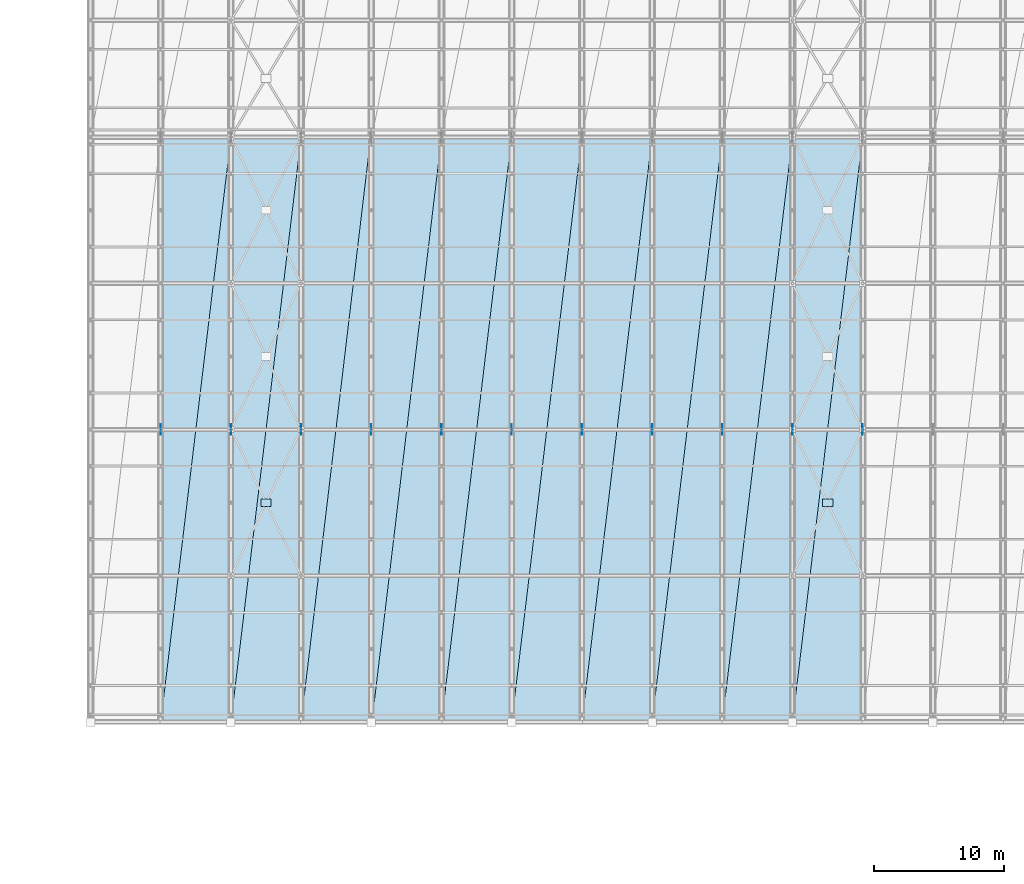
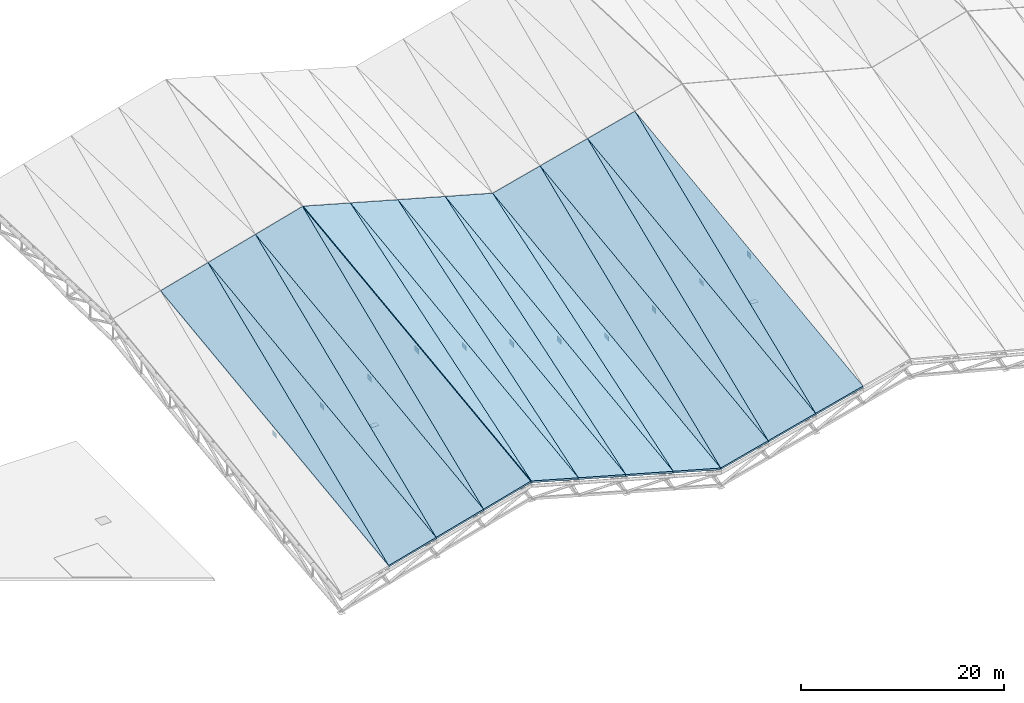
# One storey, part 96 of 109: 20 slabs, 13 plates.
"""IFC4 building model written with IfcOpenShell, lengths in metres."""

import ifcopenshell
import ifcopenshell.guid

model = None  # the IFC model being written
_history = None  # IfcOwnerHistory: only IFC2X3 demands one
_inside = {}  # id of a spatial element -> (the spatial element, [elements in it])
_under = {}  # id of a project, library or spatial element -> (it, [spatial elements below it])
_declared = {}  # id of a project -> (the project, [libraries it declares])
_typed = {}  # id of a type object -> (the type object, [elements of that type])
_made_of = {}  # id of a material, layer set ... -> (it, [elements and type objects made of it])


def new_model(schema):
    """Start an empty IFC model of exactly this schema.

    Asked for "IFC4X3", IfcOpenShell would pick the latest addendum, in which some entities
    have other attributes; the version numbers below select the first issue.
    IFC2X3 requires an IfcOwnerHistory on every rooted entity: one is made here for all.
    """
    global model, _history
    if schema == "IFC4X3":
        model = ifcopenshell.file(schema_version=(4, 3, 0, 0))
    else:
        model = ifcopenshell.file(schema=schema)
    _inside.clear()
    _under.clear()
    _declared.clear()
    _typed.clear()
    _made_of.clear()
    _history = None
    if model.schema == "IFC2X3":
        org = make("IfcOrganization", Name="unknown")
        user = make(
            "IfcPersonAndOrganization",
            ThePerson=make("IfcPerson", FamilyName="unknown"),
            TheOrganization=org,
        )
        app = make(
            "IfcApplication",
            ApplicationDeveloper=org,
            Version="unknown",
            ApplicationFullName="unknown",
            ApplicationIdentifier="unknown",
        )
        _history = make(
            "IfcOwnerHistory",
            OwningUser=user,
            OwningApplication=app,
            ChangeAction="ADDED",
            CreationDate=0,
        )
    return model


def make(cls, **values):
    """One entity of the class cls with the attributes given. An attribute that is None is left unset."""
    return model.create_entity(
        cls, **{name: value for name, value in values.items() if value is not None}
    )


def rooted(cls, **values):
    """An entity with a GlobalId (a new one), such as an element, a storey or a relation."""
    return make(cls, GlobalId=ifcopenshell.guid.new(), OwnerHistory=_history, **values)


def si_unit(unit_type, name, prefix=None):
    """IfcSIUnit, for example si_unit("LENGTHUNIT", "METRE", prefix="MILLI")."""
    return make("IfcSIUnit", UnitType=unit_type, Prefix=prefix, Name=name)


def assignment(units):
    """IfcUnitAssignment: the units of a project."""
    return None if units is None else make("IfcUnitAssignment", Units=units)


def point(xyz):
    """IfcCartesianPoint."""
    return None if xyz is None else make("IfcCartesianPoint", Coordinates=xyz)


def direction(xyz):
    """IfcDirection."""
    return None if xyz is None else make("IfcDirection", DirectionRatios=xyz)


def frame(location, z_axis=None, x_axis=None):
    """IfcAxis2Placement3D, a coordinate frame: its origin and axes. An axis left out is left unset."""
    return make(
        "IfcAxis2Placement3D",
        Location=point(location),
        Axis=direction(z_axis),
        RefDirection=direction(x_axis),
    )


def frame_2d(location, x_axis=None):
    """IfcAxis2Placement2D, a coordinate frame in the plane: its origin and x axis."""
    return make(
        "IfcAxis2Placement2D", Location=point(location), RefDirection=direction(x_axis)
    )


def origin():
    """The frame at (0, 0, 0) with its axes left unset."""
    return frame((0.0, 0.0, 0.0))


def origin_2d():
    """The frame at (0, 0) in the plane with its x axis left unset."""
    return frame_2d((0.0, 0.0))


def place(relative_to, where):
    """IfcLocalPlacement: puts the frame where relative to a parent placement (None: the world)."""
    return make(
        "IfcLocalPlacement", PlacementRelTo=relative_to, RelativePlacement=where
    )


def context(
    kind, dimensions, precision=None, world=None, true_north=None, identifier=None
):
    """IfcGeometricRepresentationContext, for example the 3D "Model" context."""
    return make(
        "IfcGeometricRepresentationContext",
        ContextIdentifier=identifier,
        ContextType=kind,
        CoordinateSpaceDimension=dimensions,
        Precision=precision,
        WorldCoordinateSystem=world,
        TrueNorth=true_north,
    )


def subcontext(parent, identifier, kind, view, scale=None):
    """IfcGeometricRepresentationSubContext, for example "Body" below "Model"."""
    return make(
        "IfcGeometricRepresentationSubContext",
        ContextIdentifier=identifier,
        ContextType=kind,
        ParentContext=parent,
        TargetScale=scale,
        TargetView=view,
    )


def project(units=None, contexts=None):
    """IfcProject with its units and contexts."""
    return rooted(
        "IfcProject",
        Name="project",
        RepresentationContexts=contexts,
        UnitsInContext=assignment(units),
    )


def spatial(cls, under=None, at=None, **own):
    """A site, building, storey or space (cls), placed at a placement, below another one or the project."""
    s = rooted(cls, ObjectPlacement=at, **own)
    if under is not None:
        _under.setdefault(under.id(), (under, []))[1].append(s)
    return s


def polyline(points):
    """IfcPolyline through the points."""
    return make("IfcPolyline", Points=[point(p) for p in points])


def profile(cls, at=None, kind="AREA", **sizes):
    """A parametric profile (cls). Its sizes go by their IFC names, for example OverallWidth=200.0."""
    return make(cls, ProfileType=kind, Position=at, **sizes)


def rectangle(**sizes):
    """IfcRectangleProfileDef."""
    return profile("IfcRectangleProfileDef", **sizes)


def outline(outer, holes=None, kind="AREA"):
    """IfcArbitraryClosedProfileDef: a profile drawn as a closed curve; with holes, ...WithVoids."""
    if holes is None:
        return make("IfcArbitraryClosedProfileDef", ProfileType=kind, OuterCurve=outer)
    return make(
        "IfcArbitraryProfileDefWithVoids",
        ProfileType=kind,
        OuterCurve=outer,
        InnerCurves=holes,
    )


def extrude(swept, where, along, depth):
    """IfcExtrudedAreaSolid: the profile swept, set in the frame where, extruded along a direction by depth."""
    return make(
        "IfcExtrudedAreaSolid",
        SweptArea=swept,
        Position=where,
        ExtrudedDirection=direction(along),
        Depth=depth,
    )


def shape(context_of_items, identifier, shape_type, items):
    """IfcShapeRepresentation: the items that make up one representation, for example the "Body"."""
    return make(
        "IfcShapeRepresentation",
        ContextOfItems=context_of_items,
        RepresentationIdentifier=identifier,
        RepresentationType=shape_type,
        Items=items,
    )


def material(Name=None, Category=None):
    """IfcMaterial."""
    return make("IfcMaterial", Name=Name, Category=Category)


def layer(
    of_material, thickness, ventilated=None, Name=None, Category=None, Priority=None
):
    """IfcMaterialLayer: one layer of a wall or slab, of a material (None: an air gap)."""
    return make(
        "IfcMaterialLayer",
        Material=of_material,
        LayerThickness=thickness,
        IsVentilated=ventilated,
        Name=Name,
        Category=Category,
        Priority=Priority,
    )


def layer_set(layers, Name=None):
    """IfcMaterialLayerSet."""
    return make("IfcMaterialLayerSet", MaterialLayers=layers, LayerSetName=Name)


def made_of(thing, what):
    """Note that an element or type object is made of a material, layer set ...; save() writes the relation."""
    if what is not None:
        _made_of.setdefault(what.id(), (what, []))[1].append(thing)
    return thing


def type_object(cls, material=None, **own):
    """A type object (cls), such as IfcWallType, which elements share."""
    return made_of(rooted(cls, **own), material)


def element(
    cls,
    number,
    at=None,
    inside=None,
    cuts=None,
    type_object=None,
    material=None,
    context=None,
    identifier="Body",
    shape_type=None,
    held_by="IfcProductDefinitionShape",
    body=None,
    shapes=None,
    **own,
):
    """One element of the class cls, such as IfcWall. Its Tag is "e" and its number.

    at: its placement. inside: the storey or other place that contains it. cuts: it is an
    opening in that element (IfcRelVoidsElement). A single representation is given by context,
    identifier, shape_type and body (its items); several are given by shapes. held_by: the class
    of the entity that holds the representations. save() writes the other relations.
    """
    e = rooted(cls, Tag="e%d" % number, ObjectPlacement=at, **own)
    if body is not None:
        shapes = [shape(context, identifier, shape_type, body)]
    if shapes is not None:
        e.Representation = make(held_by, Representations=shapes)
    if inside is not None:
        _inside.setdefault(inside.id(), (inside, []))[1].append(e)
    if cuts is not None:
        rooted(
            "IfcRelVoidsElement", RelatingBuildingElement=cuts, RelatedOpeningElement=e
        )
    if type_object is not None:
        _typed.setdefault(type_object.id(), (type_object, []))[1].append(e)
    return made_of(e, material)


def aggregate(whole, parts):
    """IfcRelAggregates: a whole, such as a stair, and the parts it consists of."""
    return rooted("IfcRelAggregates", RelatingObject=whole, RelatedObjects=parts)


def save(model, path):
    """Write the relations noted so far, then the file.

    IfcRelAggregates (storeys below a building ...), IfcRelContainedInSpatialStructure (elements
    in a storey), IfcRelDefinesByType, IfcRelAssociatesMaterial and IfcRelDeclares: one each for
    every whole, place, type object, material and project.
    """
    for whole, parts in _under.values():
        aggregate(whole, parts)
    for where, things in _inside.values():
        rooted(
            "IfcRelContainedInSpatialStructure",
            RelatedElements=things,
            RelatingStructure=where,
        )
    for kind, things in _typed.values():
        rooted("IfcRelDefinesByType", RelatedObjects=things, RelatingType=kind)
    for what, things in _made_of.values():
        rooted("IfcRelAssociatesMaterial", RelatedObjects=things, RelatingMaterial=what)
    for by, libraries in _declared.values():
        rooted("IfcRelDeclares", RelatingContext=by, RelatedDefinitions=libraries)
    model.write(path)


model = new_model("IFC4")

# Units and contexts
model_context = context("Model", 3, precision=1e-05, world=origin(), true_north=direction((0.0, 1.0)))
body_context = subcontext(model_context, "Body", "Model", "MODEL_VIEW")
ifc_project = project(units=[si_unit("LENGTHUNIT", "METRE"), si_unit("AREAUNIT", "SQUARE_METRE"), si_unit("VOLUMEUNIT", "CUBIC_METRE"), si_unit("PLANEANGLEUNIT", "RADIAN"), si_unit("MASSUNIT", "GRAM", prefix="KILO")], contexts=[model_context])

# Site, building, storey
site_placement = place(None, origin())
site = spatial("IfcSite", under=ifc_project, at=site_placement, CompositionType="ELEMENT")
building_placement = place(site_placement, origin())
building = spatial("IfcBuilding", under=site, at=building_placement, Name="Suirenkawa Promenade Aquatics Centre", CompositionType="ELEMENT")
storey_placement = place(building_placement, frame((0.0, 0.0, 22.800048828125)))
storey = spatial("IfcBuildingStorey", under=building, at=storey_placement, Name="ROOF", CompositionType="ELEMENT", Elevation=22.800048828125)

# Plates
ifc_material_1 = material(Name="Steel IS 2062 E350 (Grade 350)", Category="steel")
ifc_layer_1 = layer(ifc_material_1, 0.02392578125, Name="Steel IS 2062 E350 (Grade 350)", Category="steel")
ifc_layer_set_1 = layer_set([ifc_layer_1], Name="Steel IS 2062 E350 (Grade 350)")
plate_type = type_object("IfcPlateType", Name="PLT-GUSSET-800x600x24", PredefinedType="USERDEFINED", material=ifc_layer_set_1)
for number, where, z_axis, x_axis, name in (
    (1, (52.199951171875, 72.89990234375, -11.06005859375), (0.0, 0.0, 1.0), (0.0, 1.0, 0.0), "Truss node plate TN-04 PLG-0003"),
    (2, (57.60009765625, 72.89990234375, -9.56005859375), (0.0, 0.0, 1.0), (0.0, 1.0, 0.0), "Truss node plate TN-04 PLG-0008"),
    (3, (63.0, 72.89990234375, -8.06005859375), (0.0, 0.0, 1.0), (0.0, 1.0, 0.0), "Truss node plate TN-04 PLG-0011"),
    (4, (68.39990234375, 72.89990234375, -6.56005859375), (0.0, 0.0, 1.0), (0.0, 1.0, 0.0), "Truss node plate TN-04 PLG-0016"),
    (5, (73.800048828125, 72.89990234375, -8.06005859375), (0.0, 0.0, 1.0), (0.0, 1.0, 0.0), "Truss node plate TN-04 PLG-0019"),
    (6, (79.199951171875, 72.89990234375, -9.56005859375), (0.0, 0.0, 1.0), (0.0, 1.0, 0.0), "Truss node plate TN-04 PLG-0024"),
    (7, (84.60009765625, 72.89990234375, -11.06005859375), (0.0, 0.0, 1.0), (0.0, 1.0, 0.0), "Truss node plate TN-04 PLG-0027"),
    (8, (90.0, 72.89990234375, -12.56005859375), (0.0, 0.0, 1.0), (0.0, 1.0, 0.0), "Truss node plate TN-04 PLG-0032"),
    (9, (95.39990234375, 72.89990234375, -11.16015625), (0.0, 0.0, 1.0), (0.0, 1.0, 0.0), "Truss node plate TN-04 PLG-0035"),
    (10, (100.800048828125, 72.89990234375, -9.760009765625), (0.0, 0.0, 1.0), (0.0, 1.0, 0.0), "Truss node plate TN-04 PLG-0040"),
    (11, (106.199951171875, 72.89990234375, -8.360107421875), (0.0, 0.0, 1.0), (0.0, 1.0, 0.0), "Truss node plate TN-04 PLG-0043"),
):
    element("IfcPlate", number, at=place(storey_placement, frame(where, z_axis=z_axis, x_axis=x_axis)), inside=storey, type_object=plate_type, Name=name, ObjectType="GUSSET", PredefinedType="USERDEFINED", context=body_context, shape_type="SweptSolid", body=[
        extrude(rectangle(XDim=0.800048828125, YDim=0.02392578125, at=origin_2d()), origin(), (0.0, 0.0, 1.0), 0.60009765625),
    ])
for number, where, z_axis, x_axis, name in (
    (12, (60.300048828125, 67.27490234375, -9.0869140625), (0.0, 0.0, 1.0), (1.0, 0.0, 0.0), "Truss node plate TN-04 PLG-0080"),
    (13, (103.5, 67.27490234375, -9.3369140625), (0.0, 0.0, 1.0), (1.0, 0.0, 0.0), "Truss node plate TN-04 PLG-0097"),
):
    element("IfcPlate", number, at=place(storey_placement, frame(where, z_axis=z_axis, x_axis=x_axis)), inside=storey, type_object=plate_type, Name=name, ObjectType="GUSSET", PredefinedType="USERDEFINED", context=body_context, shape_type="SweptSolid", body=[
        extrude(rectangle(XDim=0.800048828125, YDim=0.60009765625, at=origin_2d()), origin(), (0.0, 0.0, 1.0), 0.02392578125),
    ])

# Slabs
ifc_material_2 = material(Name="Concrete M35", Category="concrete")
ifc_layer_2 = layer(ifc_material_2, 0.239990234375, Name="Concrete M35", Category="concrete")
ifc_layer_set_2 = layer_set([ifc_layer_2], Name="Concrete M35")
slab_type = type_object("IfcSlabType", Name="SLT-ROOF-V1-240", PredefinedType="ROOF", material=ifc_layer_set_2)
slab_1_placement = place(storey_placement, frame((52.199951171875, 50.39990234375, -12.900146484375), z_axis=(-0.265594882872, -0.123300611529, 0.956167515339), x_axis=(0.963519781844, 0.0, 0.267637123724)))
element("IfcSlab", 14, at=slab_1_placement, inside=storey, type_object=slab_type, Name="Folded roof facet SL-ROOF-01 SL-V1-RFS-02-1", PredefinedType="ROOF", context=body_context, shape_type="SweptSolid", body=[
    extrude(outline(polyline([(0.0, 0.0), (5.604603648136742, 0.0), (7.156912033954506, 45.32387724830122), (0.0, 0.0)])), origin(), (0.0, 0.0, -1.0), 0.239990234375),
])
slab_2_placement = place(storey_placement, frame((52.199951171875, 50.39990234375, -12.900146484375), z_axis=(-0.265594882872, -0.123300611529, 0.956167515339), x_axis=(0.117687536352, 0.980224007513, 0.159092862447)))
element("IfcSlab", 15, at=slab_2_placement, inside=storey, type_object=slab_type, Name="Folded roof facet SL-ROOF-01 SL-V1-RFS-02-2", PredefinedType="ROOF", context=body_context, shape_type="SweptSolid", body=[
    extrude(outline(polyline([(0.0, 0.0), (45.885457812697474, 1.3322676295501878e-15), (45.01128858333881, 5.536010315303809), (0.0, 0.0)])), origin(), (0.0, 0.0, -1.0), 0.239990234375),
])
slab_3_placement = place(storey_placement, frame((57.60009765625, 50.39990234375, -11.400146484375), z_axis=(-0.265606043848, -0.123300218281, 0.956164465792), x_axis=(0.963516661409, 0.0, 0.267648357342)))
element("IfcSlab", 16, at=slab_3_placement, inside=storey, type_object=slab_type, Name="Folded roof facet SL-ROOF-01 SL-V1-RFS-03-1", PredefinedType="ROOF", context=body_context, shape_type="SweptSolid", body=[
    extrude(outline(polyline([(0.0, 0.0), (5.604368414195907, -2.7755575615628914e-17), (7.156741955548069, 45.323875016726745), (0.0, 0.0)])), origin(), (0.0, 0.0, -1.0), 0.239990234375),
])
slab_4_placement = place(storey_placement, frame((57.60009765625, 50.39990234375, -11.400146484375), z_axis=(-0.265606043848, -0.123300218281, 0.956164465792), x_axis=(0.117682289387, 0.980224621292, 0.159092962065)))
element("IfcSlab", 17, at=slab_4_placement, inside=storey, type_object=slab_type, Name="Folded roof facet SL-ROOF-01 SL-V1-RFS-03-2", PredefinedType="ROOF", context=body_context, shape_type="SweptSolid", body=[
    extrude(outline(polyline([(0.0, 0.0), (45.885429081029294, -2.220446049250313e-16), (45.011316767654264, 5.535781154059732), (0.0, 0.0)])), origin(), (0.0, 0.0, -1.0), 0.239990234375),
])
slab_5_placement = place(storey_placement, frame((63.0, 50.39990234375, -9.900146484375), z_axis=(-0.265691615056, -0.123297202657, 0.956141080336), x_axis=(0.963492732357, 0.0, 0.267734485443)))
element("IfcSlab", 18, at=slab_5_placement, inside=storey, type_object=slab_type, Name="Folded roof facet SL-ROOF-01 SL-V1-RFS-04-1", PredefinedType="ROOF", context=body_context, shape_type="SweptSolid", body=[
    extrude(outline(polyline([(0.0, 0.0), (5.557883613352395, 0.0), (7.11075670189682, 45.32385790413953), (0.0, 0.0)])), origin(), (0.0, 0.0, -1.0), 0.239990234375),
])
slab_6_placement = place(storey_placement, frame((63.0, 50.39990234375, -9.900146484375), z_axis=(-0.265691615056, -0.123297202657, 0.956141080336), x_axis=(0.116721518962, 0.980377744068, 0.158857061369)))
element("IfcSlab", 19, at=slab_6_placement, inside=storey, type_object=slab_type, Name="Folded roof facet SL-ROOF-01 SL-V1-RFS-04-2", PredefinedType="ROOF", context=body_context, shape_type="SweptSolid", body=[
    extrude(outline(polyline([(0.0, 0.0), (45.87826234926735, -4.440892098500626e-16), (45.0168356925396, 5.490720751836677), (0.0, 0.0)])), origin(), (0.0, 0.0, -1.0), 0.239990234375),
])
slab_7_placement = place(storey_placement, frame((68.445068359375, 50.39990234375, -8.412109375), z_axis=(0.265691615056, -0.123297202657, 0.956141080336), x_axis=(0.963492732357, 0.0, -0.267734485443)))
element("IfcSlab", 20, at=slab_7_placement, inside=storey, type_object=slab_type, Name="Folded roof facet SL-ROOF-01 SL-V1-RFS-05-1", PredefinedType="ROOF", context=body_context, shape_type="SweptSolid", body=[
    extrude(outline(polyline([(0.0, 0.0), (5.557883613352395, 0.0), (4.00501052480797, 45.32385790413954), (0.0, 0.0)])), origin(), (0.0, 0.0, -1.0), 0.239990234375),
])
slab_8_placement = place(storey_placement, frame((68.445068359375, 50.39990234375, -8.412109375), z_axis=(0.265691615056, -0.123297202657, 0.956141080336), x_axis=(0.117690678805, 0.988517997457, 0.094768522342)))
element("IfcSlab", 21, at=slab_8_placement, inside=storey, type_object=slab_type, Name="Folded roof facet SL-ROOF-01 SL-V1-RFS-05-2", PredefinedType="ROOF", context=body_context, shape_type="SweptSolid", body=[
    extrude(outline(polyline([(0.0, 0.0), (45.50046378465228, 6.661338147750939e-16), (45.01125157634415, 5.536311197432218), (0.0, 0.0)])), origin(), (0.0, 0.0, -1.0), 0.239990234375),
])
slab_9_placement = place(storey_placement, frame((73.800048828125, 50.39990234375, -9.900146484375), z_axis=(0.265606043848, -0.123300218281, 0.956164465792), x_axis=(0.963516661409, 0.0, -0.267648357342)))
element("IfcSlab", 22, at=slab_9_placement, inside=storey, type_object=slab_type, Name="Folded roof facet SL-ROOF-01 SL-V1-RFS-06-1", PredefinedType="ROOF", context=body_context, shape_type="SweptSolid", body=[
    extrude(outline(polyline([(0.0, 0.0), (5.604368414195907, 2.7755575615628914e-17), (4.0519948728437445, 45.32387501672675), (0.0, 0.0)])), origin(), (0.0, 0.0, -1.0), 0.239990234375),
])
slab_10_placement = place(storey_placement, frame((73.800048828125, 50.39990234375, -9.900146484375), z_axis=(0.265606043848, -0.123300218281, 0.956164465792), x_axis=(0.118667069597, 0.988427264305, 0.094496929958)))
element("IfcSlab", 23, at=slab_10_placement, inside=storey, type_object=slab_type, Name="Folded roof facet SL-ROOF-01 SL-V1-RFS-06-2", PredefinedType="ROOF", context=body_context, shape_type="SweptSolid", body=[
    extrude(outline(polyline([(0.0, 0.0), (45.50464052139539, -4.440892098500626e-16), (45.005595329088635, 5.582105267555625), (0.0, 0.0)])), origin(), (0.0, 0.0, -1.0), 0.239990234375),
])
slab_11_placement = place(storey_placement, frame((79.199951171875, 50.39990234375, -11.400146484375), z_axis=(0.265594882872, -0.123300611529, 0.956167515339), x_axis=(0.963519781844, 0.0, -0.267637123724)))
element("IfcSlab", 24, at=slab_11_placement, inside=storey, type_object=slab_type, Name="Folded roof facet SL-ROOF-01 SL-V1-RFS-07-1", PredefinedType="ROOF", context=body_context, shape_type="SweptSolid", body=[
    extrude(outline(polyline([(0.0, 0.0), (5.604603648136742, 0.0), (4.052295262318977, 45.32387724830122), (0.0, 0.0)])), origin(), (0.0, 0.0, -1.0), 0.239990234375),
])
slab_12_placement = place(storey_placement, frame((79.199951171875, 50.39990234375, -11.400146484375), z_axis=(0.265594882872, -0.123300611529, 0.956167515339), x_axis=(0.118672359221, 0.988426634989, 0.094496869794)))
element("IfcSlab", 25, at=slab_12_placement, inside=storey, type_object=slab_type, Name="Folded roof facet SL-ROOF-01 SL-V1-RFS-07-2", PredefinedType="ROOF", context=body_context, shape_type="SweptSolid", body=[
    extrude(outline(polyline([(0.0, 0.0), (45.50466949349364, 4.440892098500626e-16), (45.005566674742965, 5.582336287704533), (0.0, 0.0)])), origin(), (0.0, 0.0, -1.0), 0.239990234375),
])
slab_13_placement = place(storey_placement, frame((84.60009765625, 50.39990234375, -12.900146484375), z_axis=(0.265606043848, -0.123300218281, 0.956164465792), x_axis=(0.963516661409, 0.0, -0.267648357342)))
element("IfcSlab", 26, at=slab_13_placement, inside=storey, type_object=slab_type, Name="Folded roof facet SL-ROOF-01 SL-V1-RFS-08-1", PredefinedType="ROOF", context=body_context, shape_type="SweptSolid", body=[
    extrude(outline(polyline([(0.0, 0.0), (5.604368414195907, 2.7755575615628914e-17), (4.0519948728437445, 45.32387501672675), (0.0, 0.0)])), origin(), (0.0, 0.0, -1.0), 0.239990234375),
])
slab_14_placement = place(storey_placement, frame((84.60009765625, 50.39990234375, -12.900146484375), z_axis=(0.265606043848, -0.123300218281, 0.956164465792), x_axis=(0.118667069597, 0.988427264305, 0.094496929958)))
element("IfcSlab", 27, at=slab_14_placement, inside=storey, type_object=slab_type, Name="Folded roof facet SL-ROOF-01 SL-V1-RFS-08-2", PredefinedType="ROOF", context=body_context, shape_type="SweptSolid", body=[
    extrude(outline(polyline([(0.0, 0.0), (45.50464052139539, -4.440892098500626e-16), (45.005595329088635, 5.582105267555625), (0.0, 0.0)])), origin(), (0.0, 0.0, -1.0), 0.239990234375),
])
slab_15_placement = place(storey_placement, frame((90.0, 50.39990234375, -14.400146484375), z_axis=(-0.249058191026, -0.123863830493, 0.960535147185), x_axis=(0.967989416096, 0.0, 0.250991016426)))
element("IfcSlab", 28, at=slab_15_placement, inside=storey, type_object=slab_type, Name="Folded roof facet SL-ROOF-01 SL-V1-RFS-09-1", PredefinedType="ROOF", context=body_context, shape_type="SweptSolid", body=[
    extrude(outline(polyline([(0.0, 0.0), (5.578472505959352, 0.0), (7.034232656650634, 45.327081006032316), (0.0, 0.0)])), origin(), (0.0, 0.0, -1.0), 0.239990234375),
])
slab_16_placement = place(storey_placement, frame((90.0, 50.39990234375, -14.400146484375), z_axis=(-0.249058191026, -0.123863830493, 0.960535147185), x_axis=(0.117722774397, 0.980561837744, 0.156970795846)))
element("IfcSlab", 29, at=slab_16_placement, inside=storey, type_object=slab_type, Name="Folded roof facet SL-ROOF-01 SL-V1-RFS-09-2", PredefinedType="ROOF", context=body_context, shape_type="SweptSolid", body=[
    extrude(outline(polyline([(0.0, 0.0), (45.86964902411296, 0.0), (45.01417543077853, 5.512487680789127), (0.0, 0.0)])), origin(), (0.0, 0.0, -1.0), 0.239990234375),
])
slab_17_placement = place(storey_placement, frame((95.39990234375, 50.39990234375, -13.0), z_axis=(-0.249006896417, -0.123865517358, 0.960548228433), x_axis=(0.96800280427, 0.0, 0.250939376992)))
element("IfcSlab", 30, at=slab_17_placement, inside=storey, type_object=slab_type, Name="Folded roof facet SL-ROOF-01 SL-V1-RFS-10-1", PredefinedType="ROOF", context=body_context, shape_type="SweptSolid", body=[
    extrude(outline(polyline([(0.0, 0.0), (5.578647562334837, -2.7755575615628914e-17), (7.0341082017874506, 45.32709062438004), (0.0, 0.0)])), origin(), (0.0, 0.0, -1.0), 0.239990234375),
])
slab_18_placement = place(storey_placement, frame((95.39990234375, 50.39990234375, -13.0), z_axis=(-0.249006896417, -0.123865517358, 0.960548228433), x_axis=(0.117728121474, 0.980562042553, 0.156965506144)))
element("IfcSlab", 31, at=slab_18_placement, inside=storey, type_object=slab_type, Name="Folded roof facet SL-ROOF-01 SL-V1-RFS-10-2", PredefinedType="ROOF", context=body_context, shape_type="SweptSolid", body=[
    extrude(outline(polyline([(0.0, 0.0), (45.8696394433749, -2.220446049250313e-16), (45.01415396214405, 5.512662987717247), (0.0, 0.0)])), origin(), (0.0, 0.0, -1.0), 0.239990234375),
])
slab_19_placement = place(storey_placement, frame((100.800048828125, 50.39990234375, -11.60009765625), z_axis=(-0.249058351864, -0.123858696696, 0.960535767486), x_axis=(0.967989416096, 0.0, 0.250991016426)))
element("IfcSlab", 32, at=slab_19_placement, inside=storey, type_object=slab_type, Name="Folded roof facet SL-ROOF-01 SL-V1-RFS-11-1", PredefinedType="ROOF", context=body_context, shape_type="SweptSolid", body=[
    extrude(outline(polyline([(0.0, 0.0), (5.578472505959352, 0.0), (7.034171379547014, 45.32705173445219), (0.0, 0.0)])), origin(), (0.0, 0.0, -1.0), 0.239990234375),
])
slab_20_placement = place(storey_placement, frame((100.800048828125, 50.39990234375, -11.60009765625), z_axis=(-0.24901745643, -0.123865170114, 0.960545535634), x_axis=(0.11772287275, 0.980562656966, 0.156965604498)))
element("IfcSlab", 33, at=slab_20_placement, inside=storey, type_object=slab_type, Name="Folded roof facet SL-ROOF-01 SL-V1-RFS-11-2", PredefinedType="ROOF", context=body_context, shape_type="SweptSolid", body=[
    extrude(outline(polyline([(0.0, 0.0), (45.86961070179846, 2.220446049250313e-16), (45.01418216769731, 5.5124326678082), (0.0, 0.0)])), origin(), (0.0, 0.0, -1.0), 0.239990234375),
])

save(model, "model.ifc")
